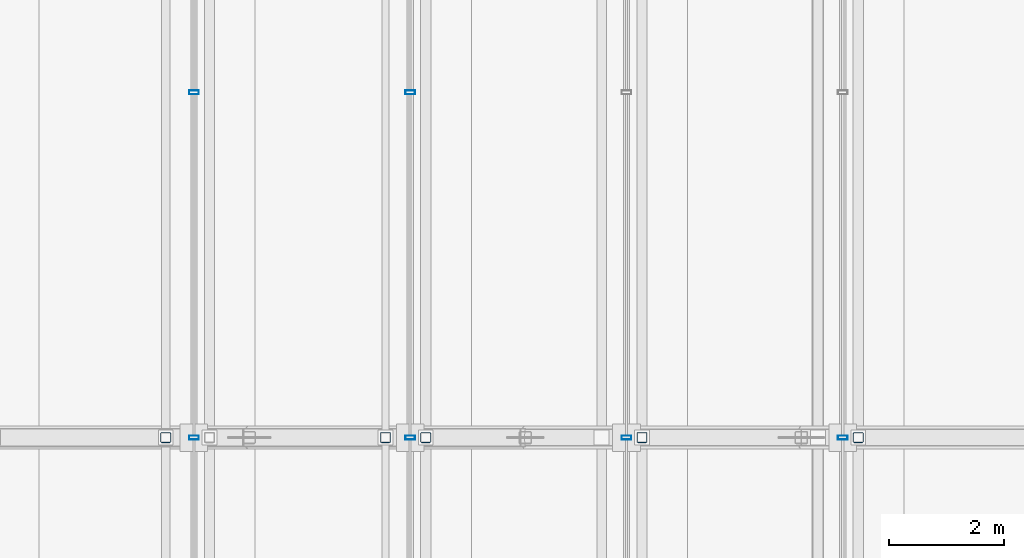
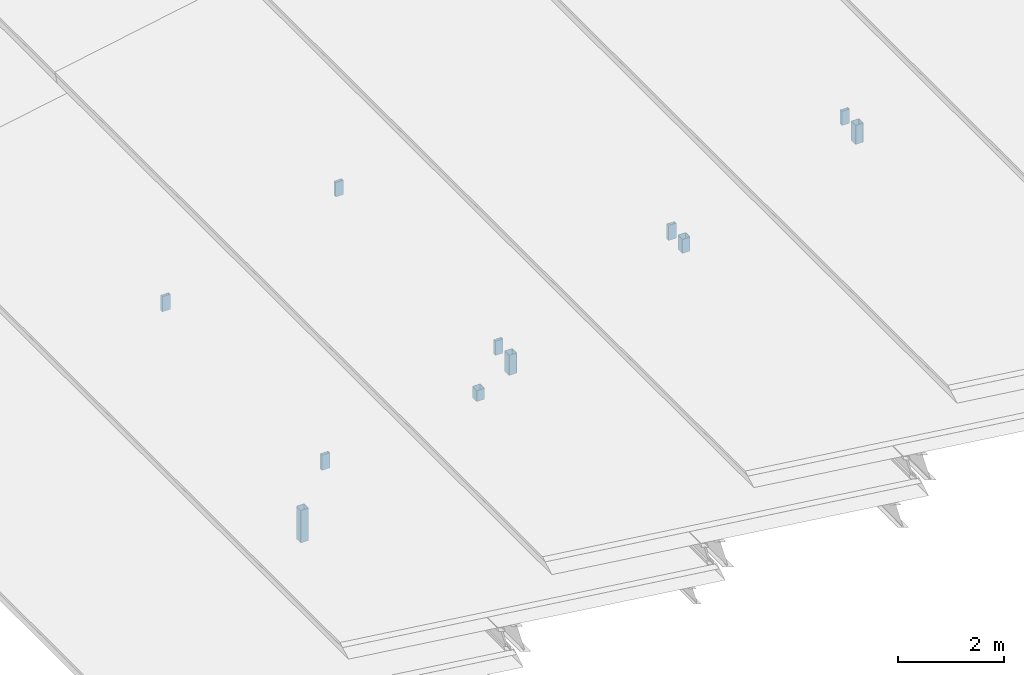
# One storey, part 58 of 117: 11 members, 4 elements without a shape of their own.
"""IFC4 building model written with IfcOpenShell, lengths in metres."""

from ifc_helpers import new_model, si_unit, direction, frame, origin, origin_2d, place, context, subcontext, project, spatial, hollow_rectangle, extrude, material, material_profile, profile_set, type_object, element, aggregate, save


model = new_model("IFC4")

# Units and contexts
model_context = context("Model", 3, precision=1e-05, world=origin(), true_north=direction((0.0, 1.0)))
body_context = subcontext(model_context, "Body", "Model", "MODEL_VIEW")
ifc_project = project(units=[si_unit("LENGTHUNIT", "METRE"), si_unit("AREAUNIT", "SQUARE_METRE"), si_unit("VOLUMEUNIT", "CUBIC_METRE"), si_unit("PLANEANGLEUNIT", "RADIAN"), si_unit("MASSUNIT", "GRAM", prefix="KILO")], contexts=[model_context])

# Site, building, storey
site_placement = place(None, origin())
site = spatial("IfcSite", under=ifc_project, at=site_placement, CompositionType="ELEMENT")
building_placement = place(site_placement, origin())
building = spatial("IfcBuilding", under=site, at=building_placement, Name="Merenkruunu Market Hall", CompositionType="ELEMENT")
storey_placement = place(building_placement, frame((0.0, 0.0, 22.800048828125)))
storey = spatial("IfcBuildingStorey", under=building, at=storey_placement, Name="RF", CompositionType="ELEMENT", Elevation=22.800048828125)

# Curtain wall, members
ifc_material_1 = material(Name="Powder-coated aluminium", Category="aluminium")
curtain_wall_type = type_object("IfcCurtainWallType", Name="Clerestory Curtain Band CL05", PredefinedType="USERDEFINED", material=ifc_material_1)
curtain_wall_1_placement = place(storey_placement, origin())
curtain_wall_1 = element("IfcCurtainWall", 1, at=curtain_wall_1_placement, inside=storey, type_object=curtain_wall_type, Name="CW-RF-CWM04-083", ObjectType="CLERESTORY_BAND", PredefinedType="USERDEFINED")
ifc_material_profile_1 = material_profile(ifc_material_1, hollow_rectangle(XDim=0.070068359375, YDim=0.169921875, WallThickness=0.0048828125, at=origin_2d()), Name="ALU 70x170x5")
ifc_profile_set_1 = profile_set([ifc_material_profile_1], Name="Powder-coated aluminium")
member_type_1 = type_object("IfcMemberType", Name="Curtain Wall Mullion CWM04", PredefinedType="MULLION", material=ifc_profile_set_1)
member_1_placement = place(storey_placement, frame((3.840087890625, 51.60009765625, -6.52197265625), z_axis=(0.0, 0.0, 1.0), x_axis=(0.0, 1.0, 0.0)))
member_1 = element("IfcMember", 2, at=member_1_placement, type_object=member_type_1, Name="CL05 mullion 3", PredefinedType="MULLION", context=body_context, shape_type="SweptSolid", body=[
    extrude(hollow_rectangle(XDim=0.070068359375, YDim=0.169921875, WallThickness=0.0048828125, at=origin_2d()), origin(), (0.0, 0.0, 1.0), 0.347900390625),
])
member_2_placement = place(storey_placement, frame((3.840087890625, 57.60009765625, -6.52197265625), z_axis=(0.0, 0.0, 1.0), x_axis=(0.0, 1.0, 0.0)))
member_2 = element("IfcMember", 3, at=member_2_placement, type_object=member_type_1, Name="CL05 mullion 4", PredefinedType="MULLION", context=body_context, shape_type="SweptSolid", body=[
    extrude(hollow_rectangle(XDim=0.070068359375, YDim=0.169921875, WallThickness=0.0048828125, at=origin_2d()), origin(), (0.0, 0.0, 1.0), 0.347900390625),
])
aggregate(curtain_wall_1, [member_1, member_2])

curtain_wall_2_placement = place(storey_placement, origin())
curtain_wall_2 = element("IfcCurtainWall", 4, at=curtain_wall_2_placement, inside=storey, type_object=curtain_wall_type, Name="CW-RF-CWM04-091", ObjectType="CLERESTORY_BAND", PredefinedType="USERDEFINED")
member_3_placement = place(storey_placement, frame((7.60009765625, 51.60009765625, -5.2021484375), z_axis=(0.0, 0.0, 1.0), x_axis=(0.0, 1.0, 0.0)))
member_3 = element("IfcMember", 5, at=member_3_placement, type_object=member_type_1, Name="CL05 mullion 3", PredefinedType="MULLION", context=body_context, shape_type="SweptSolid", body=[
    extrude(hollow_rectangle(XDim=0.070068359375, YDim=0.169921875, WallThickness=0.0048828125, at=origin_2d()), origin(), (0.0, 0.0, 1.0), 0.3271484375),
])
member_4_placement = place(storey_placement, frame((7.60009765625, 57.60009765625, -5.2021484375), z_axis=(0.0, 0.0, 1.0), x_axis=(0.0, 1.0, 0.0)))
member_4 = element("IfcMember", 6, at=member_4_placement, type_object=member_type_1, Name="CL05 mullion 4", PredefinedType="MULLION", context=body_context, shape_type="SweptSolid", body=[
    extrude(hollow_rectangle(XDim=0.070068359375, YDim=0.169921875, WallThickness=0.0048828125, at=origin_2d()), origin(), (0.0, 0.0, 1.0), 0.3271484375),
])
aggregate(curtain_wall_2, [member_3, member_4])

# Curtain wall, member
curtain_wall_3_placement = place(storey_placement, origin())
curtain_wall_3 = element("IfcCurtainWall", 7, at=curtain_wall_3_placement, inside=storey, type_object=curtain_wall_type, Name="CW-RF-CWM04-099", ObjectType="CLERESTORY_BAND", PredefinedType="USERDEFINED")
member_5_placement = place(storey_placement, frame((11.360107421875, 51.60009765625, -3.882080078125), z_axis=(0.0, 0.0, 1.0), x_axis=(0.0, 1.0, 0.0)))
member_5 = element("IfcMember", 8, at=member_5_placement, type_object=member_type_1, Name="CL05 mullion 3", PredefinedType="MULLION", context=body_context, shape_type="SweptSolid", body=[
    extrude(hollow_rectangle(XDim=0.070068359375, YDim=0.169921875, WallThickness=0.0048828125, at=origin_2d()), origin(), (0.0, 0.0, 1.0), 0.34814453125),
])
aggregate(curtain_wall_3, [member_5])

curtain_wall_4_placement = place(storey_placement, origin())
curtain_wall_4 = element("IfcCurtainWall", 9, at=curtain_wall_4_placement, inside=storey, type_object=curtain_wall_type, Name="CW-RF-CWM04-107", ObjectType="CLERESTORY_BAND", PredefinedType="USERDEFINED")
member_6_placement = place(storey_placement, frame((15.1201171875, 51.60009765625, -2.56201171875), z_axis=(0.0, 0.0, 1.0), x_axis=(0.0, 1.0, 0.0)))
member_6 = element("IfcMember", 10, at=member_6_placement, type_object=member_type_1, Name="CL05 mullion 3", PredefinedType="MULLION", context=body_context, shape_type="SweptSolid", body=[
    extrude(hollow_rectangle(XDim=0.070068359375, YDim=0.169921875, WallThickness=0.0048828125, at=origin_2d()), origin(), (0.0, 0.0, 1.0), 0.326904296875),
])
aggregate(curtain_wall_4, [member_6])

# Members
ifc_material_2 = material(Name="Steel S355J2", Category="steel")
ifc_material_profile_2 = material_profile(ifc_material_2, hollow_rectangle(XDim=0.179931640625, YDim=0.179931640625, WallThickness=0.010009765625, InnerFilletRadius=0.010009765625, OuterFilletRadius=0.02001953125, at=origin_2d()), Name="SHS 180x180x10")
ifc_profile_set_2 = profile_set([ifc_material_profile_2], Name="Steel S355J2")
member_type_2 = type_object("IfcMemberType", Name="Diagonal Sway Brace BR05", PredefinedType="BRACE", material=ifc_profile_set_2)
member_7_placement = place(storey_placement, frame((3.35009765625, 51.60009765625, -7.98095703125), z_axis=(0.0, 0.0, 1.0), x_axis=(1.0, 0.0, 0.0)))
element("IfcMember", 11, at=member_7_placement, inside=storey, type_object=member_type_2, Name="TRUSS-AT-4-RISER-W1-2", PredefinedType="BRACE", context=body_context, shape_type="SweptSolid", body=[
    extrude(hollow_rectangle(XDim=0.179931640625, YDim=0.179931640625, WallThickness=0.010009765625, InnerFilletRadius=0.010009765625, OuterFilletRadius=0.02001953125, at=origin_2d()), origin(), (0.0, 0.0, 1.0), 0.741455078125),
])
member_8_placement = place(storey_placement, frame((7.169921875, 51.60009765625, -6.075439453125), z_axis=(0.0, 0.0, 1.0), x_axis=(1.0, 0.0, 0.0)))
element("IfcMember", 12, at=member_8_placement, inside=storey, type_object=member_type_2, Name="TRUSS-AT-4-RISER-W2-2", PredefinedType="BRACE", context=body_context, shape_type="SweptSolid", body=[
    extrude(hollow_rectangle(XDim=0.179931640625, YDim=0.179931640625, WallThickness=0.010009765625, InnerFilletRadius=0.010009765625, OuterFilletRadius=0.02001953125, at=origin_2d()), origin(), (0.0, 0.0, 1.0), 0.25),
])
member_9_placement = place(storey_placement, frame((7.8701171875, 51.60009765625, -5.720947265625), z_axis=(0.0, 0.0, 1.0), x_axis=(1.0, 0.0, 0.0)))
element("IfcMember", 13, at=member_9_placement, inside=storey, type_object=member_type_2, Name="TRUSS-AT-4-RISER-W3-1", PredefinedType="BRACE", context=body_context, shape_type="SweptSolid", body=[
    extrude(hollow_rectangle(XDim=0.179931640625, YDim=0.179931640625, WallThickness=0.010009765625, InnerFilletRadius=0.010009765625, OuterFilletRadius=0.02001953125, at=origin_2d()), origin(), (0.0, 0.0, 1.0), 0.462646484375),
])
member_10_placement = place(storey_placement, frame((11.6298828125, 51.60009765625, -4.23583984375), z_axis=(0.0, 0.0, 1.0), x_axis=(1.0, 0.0, 0.0)))
element("IfcMember", 14, at=member_10_placement, inside=storey, type_object=member_type_2, Name="TRUSS-AT-4-RISER-W4-1", PredefinedType="BRACE", context=body_context, shape_type="SweptSolid", body=[
    extrude(hollow_rectangle(XDim=0.179931640625, YDim=0.179931640625, WallThickness=0.010009765625, InnerFilletRadius=0.010009765625, OuterFilletRadius=0.02001953125, at=origin_2d()), origin(), (0.0, 0.0, 1.0), 0.31787109375),
])
member_11_placement = place(storey_placement, frame((15.389892578125, 51.60009765625, -3.053955078125), z_axis=(0.0, 0.0, 1.0), x_axis=(1.0, 0.0, 0.0)))
element("IfcMember", 15, at=member_11_placement, inside=storey, type_object=member_type_2, Name="TRUSS-AT-4-RISER-W5-1", PredefinedType="BRACE", context=body_context, shape_type="SweptSolid", body=[
    extrude(hollow_rectangle(XDim=0.179931640625, YDim=0.179931640625, WallThickness=0.010009765625, InnerFilletRadius=0.010009765625, OuterFilletRadius=0.02001953125, at=origin_2d()), origin(), (0.0, 0.0, 1.0), 0.435546875),
])

save(model, "model.ifc")
